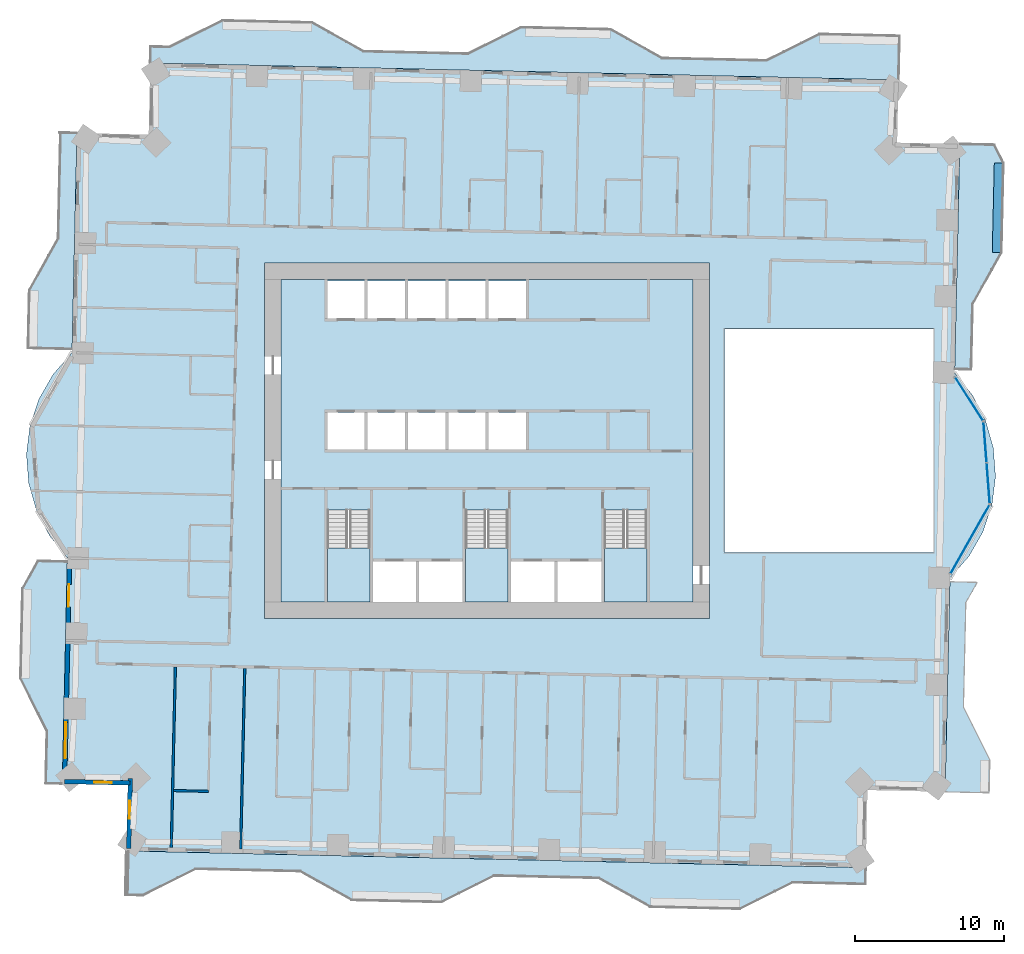
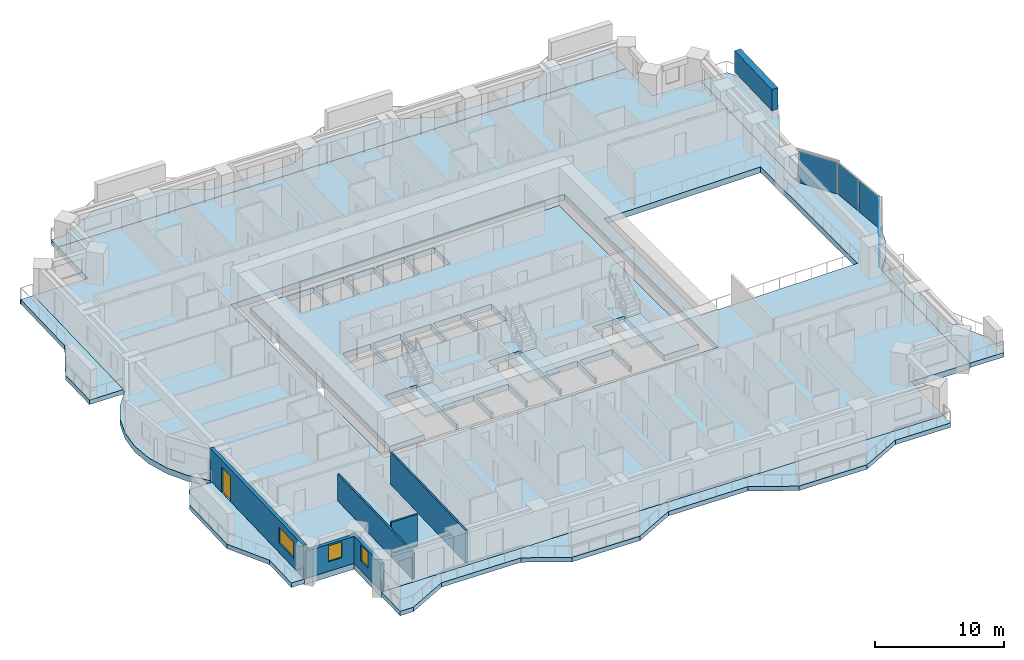
# One storey, part 6 of 18: 11 slabs, 6 walls, 4 plates, 3 windows, 1 door, 1 member, 4 openings, 6 elements without a shape of their own.
"""IFC4 building model written with IfcOpenShell, lengths in metres."""

from ifc_helpers import new_model, si_unit, direction, frame, frame_2d, origin, origin_2d, place, context, subcontext, project, spatial, polyline, rectangle, outline, extrude, material, layer, layer_set, material_profile, profile_set, type_object, element, fill, aggregate, save


model = new_model("IFC4")

# Units and contexts
model_context = context("Model", 3, precision=1e-05, world=origin(), true_north=direction((0.0, 1.0)))
body_context = subcontext(model_context, "Body", "Model", "MODEL_VIEW")
ifc_project = project(units=[si_unit("LENGTHUNIT", "METRE"), si_unit("AREAUNIT", "SQUARE_METRE"), si_unit("VOLUMEUNIT", "CUBIC_METRE"), si_unit("PLANEANGLEUNIT", "RADIAN"), si_unit("MASSUNIT", "GRAM", prefix="KILO")], contexts=[model_context])

# Site, building, storey
site_placement = place(None, origin())
site = spatial("IfcSite", under=ifc_project, at=site_placement, CompositionType="ELEMENT")
building_placement = place(site_placement, origin())
building = spatial("IfcBuilding", under=site, at=building_placement, Name="Mangrove Gate Tower", CompositionType="ELEMENT")
storey_placement = place(building_placement, frame((0.0, 0.0, 71.10009765625)))
storey = spatial("IfcBuildingStorey", under=building, at=storey_placement, Name="L17", CompositionType="ELEMENT", Elevation=71.10009765625)

# Member
ifc_material_1 = material(Name="Planting on aluminium trellis", Category="aluminium")
ifc_material_profile = material_profile(ifc_material_1, rectangle(XDim=0.550048828125, YDim=2.0, at=origin_2d()))
ifc_profile_set = profile_set([ifc_material_profile], Name="Planting on aluminium trellis")
member_type = type_object("IfcMemberType", Name="Balcony greenery screen 550x2000", PredefinedType="USERDEFINED", material=ifc_profile_set)
member_placement = place(storey_placement, frame((34.114990234375, 12.615966796875, 1.7998046875), z_axis=(0.022665943652, 0.999743094499, 0.0), x_axis=(-0.999743094499, 0.022665943652, 0.0)))
element("IfcMember", 1, at=member_placement, inside=storey, type_object=member_type, Name="GREEN SCREEN L17 E1.1", ObjectType="PLANTING", PredefinedType="USERDEFINED", context=body_context, shape_type="SweptSolid", body=[
    extrude(rectangle(XDim=0.550048828125, YDim=2.0, at=origin_2d()), origin(), (0.0, 0.0, 1.0), 5.99951171875),
])

# Curtain wall, plate
ifc_material_2 = material(Name="Aluminium and glass curtain wall", Category="aluminium")
curtain_wall_type = type_object("IfcCurtainWallType", Name="Atrium garden-court glazing wall", PredefinedType="NOTDEFINED", material=ifc_material_2)
curtain_wall_1_placement = place(storey_placement, origin())
curtain_wall_1 = element("IfcCurtainWall", 2, at=curtain_wall_1_placement, inside=storey, type_object=curtain_wall_type, Name="Atrium garden-court glazing E1f1", PredefinedType="NOTDEFINED")
ifc_material_3 = material(Name="Laminated low-e glass", Category="glass")
ifc_layer_1 = layer(ifc_material_3, 0.031982421875)
ifc_layer_set_1 = layer_set([ifc_layer_1], Name="Atrium garden-court glazing panel 32")
plate_type = type_object("IfcPlateType", Name="Atrium garden-court glazing panel 32", PredefinedType="CURTAIN_PANEL", material=ifc_layer_set_1)
plate_1_placement = place(storey_placement, frame((32.34912109375, -6.600830078125, 0.0), z_axis=(0.0, 0.0, 1.0), x_axis=(0.492603686489, 0.870253760726, 0.0)))
plate_1 = element("IfcPlate", 3, at=plate_1_placement, type_object=plate_type, Name="CWA panel 1.1", PredefinedType="CURTAIN_PANEL", context=body_context, shape_type="SweptSolid", body=[
    extrude(rectangle(XDim=5.258544921875, YDim=0.031982421875, at=origin_2d()), origin(), (0.0, 0.0, 1.0), 2.97998046875),
])
aggregate(curtain_wall_1, [plate_1])

# Curtain wall, plates
curtain_wall_2_placement = place(storey_placement, origin())
curtain_wall_2 = element("IfcCurtainWall", 4, at=curtain_wall_2_placement, inside=storey, type_object=curtain_wall_type, Name="Atrium garden-court glazing E1f2", PredefinedType="NOTDEFINED")
plate_2_placement = place(storey_placement, frame((33.5703125, -2.84521484375, 0.0), z_axis=(0.0, 0.0, 1.0), x_axis=(-0.077023348212, 0.997029289354, 0.0)))
plate_2 = element("IfcPlate", 5, at=plate_2_placement, type_object=plate_type, Name="CWA panel 1.1", PredefinedType="CURTAIN_PANEL", context=body_context, shape_type="SweptSolid", body=[
    extrude(rectangle(XDim=2.681640625, YDim=0.031982421875, at=origin_2d()), origin(), (0.0, 0.0, 1.0), 2.97998046875),
])
plate_3_placement = place(storey_placement, frame((33.3583984375, -0.1015625, 0.0), z_axis=(0.0, 0.0, 1.0), x_axis=(-0.077023348212, 0.997029289354, 0.0)))
plate_3 = element("IfcPlate", 6, at=plate_3_placement, type_object=plate_type, Name="CWA panel 2.1", PredefinedType="CURTAIN_PANEL", context=body_context, shape_type="SweptSolid", body=[
    extrude(rectangle(XDim=2.681640625, YDim=0.031982421875, at=origin_2d()), origin(), (0.0, 0.0, 1.0), 2.97998046875),
])
aggregate(curtain_wall_2, [plate_2, plate_3])

# Curtain wall, plate
curtain_wall_3_placement = place(storey_placement, origin())
curtain_wall_3 = element("IfcCurtainWall", 7, at=curtain_wall_3_placement, inside=storey, type_object=curtain_wall_type, Name="Atrium garden-court glazing E1f3", PredefinedType="NOTDEFINED")
plate_4_placement = place(storey_placement, frame((32.284912109375, 2.806396484375, 0.0), z_axis=(0.0, 0.0, 1.0), x_axis=(-0.540524576597, 0.841328224948, 0.0)))
plate_4 = element("IfcPlate", 8, at=plate_4_placement, type_object=plate_type, Name="CWA panel 1.1", PredefinedType="CURTAIN_PANEL", context=body_context, shape_type="SweptSolid", body=[
    extrude(rectangle(XDim=3.42919921875, YDim=0.031982421875, at=origin_2d()), origin(), (0.0, 0.0, 1.0), 2.97998046875),
])
aggregate(curtain_wall_3, [plate_4])

# Slabs
ifc_material_4 = material(Name="Porcelain tile")
ifc_layer_2 = layer(ifc_material_4, 0.02001953125, Name="Tile finish")
ifc_material_5 = material(Name="Cement sand screed")
ifc_layer_3 = layer(ifc_material_5, 0.0400390625, Name="Screed laid to falls")
ifc_material_6 = material(Name="Bituminous waterproofing membrane")
ifc_layer_4 = layer(ifc_material_6, 0.00390625, Name="Waterproofing")
ifc_material_7 = material(Name="Concrete C40/50", Category="concrete")
ifc_layer_5 = layer(ifc_material_7, 0.340087890625, Name="Balcony structural slab")
ifc_material_8 = material(Name="Limestone", Category="masonry")
ifc_layer_6 = layer(ifc_material_8, 0.01611328125, Name="Soffit lining")
ifc_layer_set_2 = layer_set([ifc_layer_2, ifc_layer_3, ifc_layer_4, ifc_layer_5, ifc_layer_6], Name="Balcony slab 420 C40/50")
slab_type_1 = type_object("IfcSlabType", Name="Balcony slab 420 C40/50", PredefinedType="FLOOR", material=ifc_layer_set_2)
slab_1_placement = place(storey_placement, frame((0.0, 0.0, -0.420166015625)))
element("IfcSlab", 9, at=slab_1_placement, inside=storey, type_object=slab_type_1, Name="BALCONY L17 E0", PredefinedType="FLOOR", context=body_context, shape_type="SweptSolid", body=[
    extrude(outline(polyline([(33.6689453125, -23.5830078125), (33.718994140625, -21.384033203125), (31.947998046875, -17.843017578125), (32.10693359375, -10.843994140625), (32.864990234375, -9.487060546875), (30.9990234375, -9.444091796875), (30.968017578125, -10.819091796875), (30.80908203125, -17.81689453125), (30.72900390625, -21.31591796875), (30.678955078125, -23.514892578125), (33.6689453125, -23.5830078125)])), origin(), (0.0, 0.0, 1.0), 0.420166015625),
])
slab_2_placement = place(storey_placement, frame((0.0, 0.0, -0.420166015625)))
element("IfcSlab", 10, at=slab_2_placement, inside=storey, type_object=slab_type_1, Name="BALCONY L17 E1", PredefinedType="FLOOR", context=body_context, shape_type="SweptSolid", body=[
    extrude(outline(polyline([(32.4619140625, 4.777099609375), (32.56103515625, 9.14990234375), (34.489990234375, 12.60693359375), (34.6259765625, 18.60595703125), (34.01904296875, 19.820068359375), (31.6640625, 19.873046875), (31.636962890625, 18.674072265625), (31.5009765625, 12.675048828125), (31.4208984375, 9.176025390625), (31.322021484375, 4.802978515625), (32.4619140625, 4.777099609375)])), origin(), (0.0, 0.0, 1.0), 0.420166015625),
])
slab_3_placement = place(storey_placement, frame((0.0, 0.0, -0.420166015625)))
element("IfcSlab", 11, at=slab_3_placement, inside=storey, type_object=slab_type_1, Name="BALCONY L17 N0", PredefinedType="FLOOR", context=body_context, shape_type="SweptSolid", body=[
    extrude(outline(polyline([(27.6279296875, 27.156982421875), (22.261962890625, 27.279052734375), (18.720947265625, 25.509033203125), (11.721923828125, 25.6669921875), (8.264892578125, 27.595947265625), (2.56689453125, 27.72607421875), (2.26708984375, 27.73193359375), (-1.27392578125, 25.962890625), (-8.27197265625, 26.12109375), (-11.72998046875, 28.050048828125), (-17.72802734375, 28.18603515625), (-21.26904296875, 26.4169921875), (-22.537109375, 26.445068359375), (-22.56298828125, 25.304931640625), (2.4990234375, 24.736083984375), (11.697021484375, 24.528076171875), (27.56005859375, 24.16796875), (27.6279296875, 27.156982421875)])), origin(), (0.0, 0.0, 1.0), 0.420166015625),
])
slab_4_placement = place(storey_placement, frame((0.0, 0.0, -0.420166015625)))
element("IfcSlab", 12, at=slab_4_placement, inside=storey, type_object=slab_type_1, Name="BALCONY L17 W0", PredefinedType="FLOOR", context=body_context, shape_type="SweptSolid", body=[
    extrude(outline(polyline([(-28.6630859375, 20.64208984375), (-28.612060546875, 20.541015625), (-28.77099609375, 13.54296875), (-30.699951171875, 10.0859375), (-30.7880859375, 6.2119140625), (-27.799072265625, 6.14404296875), (-27.7109375, 10.01806640625), (-27.631103515625, 13.51708984375), (-27.472900390625, 20.514892578125), (-27.469970703125, 20.614990234375), (-28.6630859375, 20.64208984375)])), origin(), (0.0, 0.0, 1.0), 0.420166015625),
])
slab_5_placement = place(storey_placement, frame((0.0, 0.0, -0.420166015625)))
element("IfcSlab", 13, at=slab_5_placement, inside=storey, type_object=slab_type_1, Name="BALCONY L17 W1", PredefinedType="FLOOR", context=body_context, shape_type="SweptSolid", body=[
    extrude(outline(polyline([(-30.12109375, -8.056884765625), (-31.154052734375, -9.908935546875), (-31.2900390625, -15.906982421875), (-29.52001953125, -19.448974609375), (-29.59912109375, -22.947998046875), (-28.4599609375, -22.97412109375), (-28.3798828125, -19.47412109375), (-28.301025390625, -15.97509765625), (-28.1650390625, -9.97705078125), (-28.1220703125, -8.10302734375), (-30.12109375, -8.056884765625)])), origin(), (0.0, 0.0, 1.0), 0.420166015625),
])
slab_6_placement = place(storey_placement, frame((0.0, 0.0, -0.420166015625)))
element("IfcSlab", 14, at=slab_6_placement, inside=storey, type_object=slab_type_1, Name="BALCONY L17 S0", PredefinedType="FLOOR", context=body_context, shape_type="SweptSolid", body=[
    extrude(outline(polyline([(-24.22802734375, -30.4609375), (-23.06103515625, -30.488037109375), (-19.52001953125, -28.718017578125), (-12.52099609375, -28.876953125), (-9.06396484375, -30.805908203125), (-3.06591796875, -30.94189453125), (0.47509765625, -29.172119140625), (0.574951171875, -29.174072265625), (7.47412109375, -29.330078125), (10.930908203125, -31.259033203125), (16.928955078125, -31.39501953125), (20.469970703125, -29.6259765625), (25.3369140625, -29.736083984375), (25.363037109375, -28.595947265625), (-24.159912109375, -27.471923828125), (-24.22802734375, -30.4609375)])), origin(), (0.0, 0.0, 1.0), 0.420166015625),
])
ifc_material_9 = material(Name="Concrete C40/50", Category="concrete")
ifc_layer_7 = layer(ifc_material_9, 0.550048828125)
ifc_layer_set_3 = layer_set([ifc_layer_7], Name="Core floor slab 550 C40/50")
slab_type_2 = type_object("IfcSlabType", Name="Core floor slab 550 C40/50", PredefinedType="FLOOR", material=ifc_layer_set_3)
slab_7_placement = place(storey_placement, frame((0.0, 0.0, -0.550048828125)))
element("IfcSlab", 15, at=slab_7_placement, inside=storey, type_object=slab_type_2, Name="SLAB-L17-CORE-1", PredefinedType="FLOOR", context=body_context, shape_type="SweptSolid", body=[
    extrude(outline(polyline([(-13.800048828125, -10.800048828125), (-13.800048828125, 10.800048828125), (13.800048828125, 10.800048828125), (13.800048828125, -10.800048828125), (10.699951171875, -10.800048828125), (10.699951171875, -4.653076171875), (7.85009765625, -4.653076171875), (7.85009765625, -10.800048828125), (7.64990234375, -10.800048828125), (7.64990234375, -8.10009765625), (4.72509765625, -8.10009765625), (4.72509765625, -10.800048828125), (4.52490234375, -10.800048828125), (4.52490234375, -8.10009765625), (1.60009765625, -8.10009765625), (1.60009765625, -10.800048828125), (1.39990234375, -10.800048828125), (1.39990234375, -4.653076171875), (-1.449951171875, -4.653076171875), (-1.449951171875, -10.800048828125), (-1.64990234375, -10.800048828125), (-1.64990234375, -8.10009765625), (-4.550048828125, -8.10009765625), (-4.550048828125, -10.800048828125), (-4.75, -10.800048828125), (-4.75, -8.10009765625), (-7.64990234375, -8.10009765625), (-7.64990234375, -10.800048828125), (-7.85009765625, -10.800048828125), (-7.85009765625, -4.653076171875), (-10.699951171875, -4.653076171875), (-10.699951171875, -10.800048828125), (-13.800048828125, -10.800048828125)]), holes=[polyline([(-8.199951171875, -0.60009765625), (-8.199951171875, 1.89990234375), (-10.699951171875, 1.89990234375), (-10.699951171875, -0.60009765625), (-8.199951171875, -0.60009765625)]), polyline([(-5.5, -0.60009765625), (-5.5, 1.89990234375), (-8.0, 1.89990234375), (-8.0, -0.60009765625), (-5.5, -0.60009765625)]), polyline([(-2.800048828125, -0.60009765625), (-2.800048828125, 1.89990234375), (-5.300048828125, 1.89990234375), (-5.300048828125, -0.60009765625), (-2.800048828125, -0.60009765625)]), polyline([(-8.199951171875, 8.199951171875), (-8.199951171875, 10.699951171875), (-10.699951171875, 10.699951171875), (-10.699951171875, 8.199951171875), (-8.199951171875, 8.199951171875)]), polyline([(-5.5, 8.199951171875), (-5.5, 10.699951171875), (-8.0, 10.699951171875), (-8.0, 8.199951171875), (-5.5, 8.199951171875)]), polyline([(-2.800048828125, 8.199951171875), (-2.800048828125, 10.699951171875), (-5.300048828125, 10.699951171875), (-5.300048828125, 8.199951171875), (-2.800048828125, 8.199951171875)]), polyline([(-0.10009765625, -0.60009765625), (-0.10009765625, 1.89990234375), (-2.60009765625, 1.89990234375), (-2.60009765625, -0.60009765625), (-0.10009765625, -0.60009765625)]), polyline([(2.60009765625, -0.60009765625), (2.60009765625, 1.89990234375), (0.10009765625, 1.89990234375), (0.10009765625, -0.60009765625), (2.60009765625, -0.60009765625)]), polyline([(-2.60009765625, 8.199951171875), (-0.10009765625, 8.199951171875), (-0.10009765625, 10.699951171875), (-2.60009765625, 10.699951171875), (-2.60009765625, 8.199951171875)]), polyline([(0.10009765625, 8.199951171875), (2.60009765625, 8.199951171875), (2.60009765625, 10.699951171875), (0.10009765625, 10.699951171875), (0.10009765625, 8.199951171875)])]), origin(), (0.0, 0.0, 1.0), 0.550048828125),
])

# Stair, slab
ifc_material_10 = material(Name="Concrete C40/50", Category="concrete")
stair_type = type_object("IfcStairType", Name="Core stair 1350", PredefinedType="HALF_TURN_STAIR", material=ifc_material_10)
stair_1_placement = place(storey_placement, origin())
stair_1 = element("IfcStair", 16, at=stair_1_placement, inside=storey, type_object=stair_type, Name="L17 Stair 1", PredefinedType="HALF_TURN_STAIR")
ifc_material_11 = material(Name="Concrete C40/50", Category="concrete")
ifc_layer_8 = layer(ifc_material_11, 0.199951171875)
ifc_layer_set_4 = layer_set([ifc_layer_8], Name="Core stair landing 200")
slab_type_3 = type_object("IfcSlabType", Name="Core stair landing 200", PredefinedType="LANDING", material=ifc_layer_set_4)
slab_8_placement = place(storey_placement, frame((0.0, 0.0, 1.599853515625)))
slab_8 = element("IfcSlab", 17, at=slab_8_placement, type_object=slab_type_3, Name="ST1 landing 1", PredefinedType="LANDING", context=body_context, shape_type="SweptSolid", body=[
    extrude(outline(polyline([(-10.699951171875, -7.169921875), (-10.699951171875, -10.800048828125), (-7.85009765625, -10.800048828125), (-7.85009765625, -7.169921875), (-10.699951171875, -7.169921875)])), origin(), (0.0, 0.0, 1.0), 0.199951171875),
])
aggregate(stair_1, [slab_8])

stair_2_placement = place(storey_placement, origin())
stair_2 = element("IfcStair", 18, at=stair_2_placement, inside=storey, type_object=stair_type, Name="L17 Stair 2", PredefinedType="HALF_TURN_STAIR")
slab_9_placement = place(storey_placement, frame((0.0, 0.0, 1.599853515625)))
slab_9 = element("IfcSlab", 19, at=slab_9_placement, type_object=slab_type_3, Name="ST2 landing 1", PredefinedType="LANDING", context=body_context, shape_type="SweptSolid", body=[
    extrude(outline(polyline([(-1.449951171875, -7.169921875), (-1.449951171875, -10.800048828125), (1.39990234375, -10.800048828125), (1.39990234375, -7.169921875), (-1.449951171875, -7.169921875)])), origin(), (0.0, 0.0, 1.0), 0.199951171875),
])
aggregate(stair_2, [slab_9])

stair_3_placement = place(storey_placement, origin())
stair_3 = element("IfcStair", 20, at=stair_3_placement, inside=storey, type_object=stair_type, Name="L17 Stair 3", PredefinedType="HALF_TURN_STAIR")
slab_10_placement = place(storey_placement, frame((0.0, 0.0, 1.599853515625)))
slab_10 = element("IfcSlab", 21, at=slab_10_placement, type_object=slab_type_3, Name="ST3 landing 1", PredefinedType="LANDING", context=body_context, shape_type="SweptSolid", body=[
    extrude(outline(polyline([(7.85009765625, -7.169921875), (7.85009765625, -10.800048828125), (10.699951171875, -10.800048828125), (10.699951171875, -7.169921875), (7.85009765625, -7.169921875)])), origin(), (0.0, 0.0, 1.0), 0.199951171875),
])
aggregate(stair_3, [slab_10])

# Slab
ifc_material_12 = material(Name="Concrete C40/50", Category="concrete")
ifc_layer_9 = layer(ifc_material_12, 0.550048828125)
ifc_layer_set_5 = layer_set([ifc_layer_9], Name="Floor slab 550 C40/50")
slab_type_4 = type_object("IfcSlabType", Name="Floor slab 550 C40/50", PredefinedType="FLOOR", material=ifc_layer_set_5)
slab_11_placement = place(storey_placement, frame((0.0, 0.0, -0.550048828125)))
element("IfcSlab", 22, at=slab_11_placement, inside=storey, type_object=slab_type_4, Name="Floor slab L17", PredefinedType="FLOOR", context=body_context, shape_type="SweptSolid", body=[
    extrude(outline(polyline([(-24.160400390625, -27.47216796875), (25.36279296875, -28.595947265625), (25.480712890625, -23.3974609375), (30.679443359375, -23.515380859375), (31.00439453125, -9.1943359375), (32.267333984375, -7.7578125), (33.220458984375, -6.099365234375), (33.825927734375, -4.28515625), (34.0595703125, -2.38671875), (33.912353515625, -0.4794921875), (33.389892578125, 1.360595703125), (32.512939453125, 3.060302734375), (31.31640625, 4.552734375), (31.6640625, 19.87353515625), (27.465087890625, 19.96875), (27.560302734375, 24.167724609375), (-22.562744140625, 25.30517578125), (-22.671630859375, 20.50634765625), (-27.470458984375, 20.615234375), (-27.804443359375, 5.894287109375), (-29.0673828125, 4.457763671875), (-30.0205078125, 2.799560546875), (-30.6259765625, 0.985107421875), (-30.859619140625, -0.913330078125), (-30.71240234375, -2.820556640625), (-30.18994140625, -4.660400390625), (-29.31298828125, -6.3603515625), (-28.116455078125, -7.852783203125), (-28.45947265625, -22.9736328125), (-24.060546875, -23.0732421875), (-24.160400390625, -27.47216796875)]), holes=[polyline([(15.89990234375, 7.5), (29.889892578125, 7.5), (29.889892578125, -7.5), (15.89990234375, -7.5), (15.89990234375, 7.5)]), polyline([(-14.89990234375, -11.89990234375), (-14.89990234375, 11.89990234375), (14.89990234375, 11.89990234375), (14.89990234375, -11.89990234375), (-14.89990234375, -11.89990234375)])]), origin(), (0.0, 0.0, 1.0), 0.550048828125),
])

# Wall, openings, door, window
ifc_layer_10 = layer(ifc_material_8, 0.0400390625, Name="Limestone cladding")
ifc_material_13 = material(Name="Ventilated air gap")
ifc_layer_11 = layer(ifc_material_13, 0.0400390625, Name="Ventilated cavity")
ifc_material_14 = material(Name="Mineral wool insulation")
ifc_layer_12 = layer(ifc_material_14, 0.06005859375, Name="Insulation")
ifc_material_15 = material(Name="Breather membrane")
ifc_layer_13 = layer(ifc_material_15, 0.001953125, Name="Breather membrane")
ifc_material_16 = material(Name="Concrete C20/25 blockwork", Category="masonry")
ifc_layer_14 = layer(ifc_material_16, 0.14990234375, Name="Blockwork backing wall")
ifc_material_17 = material(Name="Gypsum plaster")
ifc_layer_15 = layer(ifc_material_17, 0.008056640625, Name="Internal plaster")
ifc_layer_set_6 = layer_set([ifc_layer_10, ifc_layer_11, ifc_layer_12, ifc_layer_13, ifc_layer_14, ifc_layer_15], Name="External wall 300 limestone cladding")
wall_type_1 = type_object("IfcWallType", Name="External wall 300 limestone cladding", PredefinedType="SOLIDWALL", material=ifc_layer_set_6)
wall_1_placement = place(storey_placement, frame((-27.965087890625, -7.802001953125, 0.0), z_axis=(0.0, 0.0, 1.0), x_axis=(-0.02267786199, -0.999742824218, 0.0)))
wall_1 = element("IfcWall", 23, at=wall_1_placement, inside=storey, type_object=wall_type_1, Name="WALL-L17-W10", PredefinedType="SOLIDWALL", context=body_context, shape_type="SweptSolid", body=[
    extrude(rectangle(XDim=15.02880859375, YDim=0.300048828125, at=frame_2d((7.514404296875, 0.0))), origin(), (0.0, 0.0, 1.0), 3.0498046875),
])
opening_1_placement = place(wall_1_placement, frame((1.825927734375, 0.0, 0.0)))
opening_1 = element("IfcOpeningElement", 24, at=opening_1_placement, cuts=wall_1, Name="Opening BD1", PredefinedType="OPENING", context=body_context, shape_type="SweptSolid", body=[
    extrude(rectangle(XDim=1.5, YDim=2.39990234375, at=frame_2d((0.75, 1.199951171875))), frame((0.0, 0.159912109375, 0.0), z_axis=(0.0, -1.0, 0.0), x_axis=(1.0, 0.0, 0.0)), (0.0, 0.0, 1.0), 0.320068359375),
])
opening_2_placement = place(wall_1_placement, frame((11.071044921875, 0.0, 0.89990234375)))
opening_2 = element("IfcOpeningElement", 25, at=opening_2_placement, cuts=wall_1, Name="Opening W2", PredefinedType="OPENING", context=body_context, shape_type="SweptSolid", body=[
    extrude(rectangle(XDim=2.39990234375, YDim=1.5, at=frame_2d((1.199951171875, 0.75))), frame((0.0, 0.159912109375, 0.0), z_axis=(0.0, -1.0, 0.0), x_axis=(1.0, 0.0, 0.0)), (0.0, 0.0, 1.0), 0.320068359375),
])
ifc_material_18 = material(Name="Aluminium frame with laminated clear glass", Category="aluminium")
door_type = type_object("IfcDoorType", Name="Balcony sliding door 1500x2400", OperationType="SLIDING_TO_LEFT", PredefinedType="DOOR", material=ifc_material_18)
door_placement = place(opening_1_placement, origin())
door = element("IfcDoor", 26, at=door_placement, inside=storey, type_object=door_type, Name="DOOR-L17-W10-1", OperationType="SLIDING_TO_LEFT", OverallHeight=2.39990234375, OverallWidth=1.5, PredefinedType="DOOR", context=body_context, shape_type="SweptSolid", body=[
    extrude(rectangle(XDim=1.5, YDim=2.39990234375, at=frame_2d((0.75, 1.199951171875))), frame((0.0, 0.02490234375, 0.0), z_axis=(0.0, -1.0, 0.0), x_axis=(1.0, 0.0, 0.0)), (0.0, 0.0, 1.0), 0.050048828125),
])
fill(opening_1, door)
ifc_material_19 = material(Name="Aluminium frame with double-glazed low-e glass", Category="aluminium")
window_type_1 = type_object("IfcWindowType", Name="Corner room window 2400x1500", PartitioningType="DOUBLE_PANEL_VERTICAL", PredefinedType="WINDOW", material=ifc_material_19)
window_1_placement = place(opening_2_placement, origin())
window_1 = element("IfcWindow", 27, at=window_1_placement, inside=storey, type_object=window_type_1, Name="WIN-L17-W10-2", OverallHeight=1.5, OverallWidth=2.39990234375, PartitioningType="DOUBLE_PANEL_VERTICAL", PredefinedType="WINDOW", context=body_context, shape_type="SweptSolid", body=[
    extrude(rectangle(XDim=2.39990234375, YDim=1.5, at=frame_2d((1.199951171875, 0.75))), frame((0.0, 0.030029296875, 0.0), z_axis=(0.0, -1.0, 0.0), x_axis=(1.0, 0.0, 0.0)), (0.0, 0.0, 1.0), 0.06005859375),
])
fill(opening_2, window_1)

# Wall, opening, window
wall_2_placement = place(storey_placement, frame((-28.305908203125, -22.826904296875, 0.0), z_axis=(0.0, 0.0, 1.0), x_axis=(0.999741204967, -0.022749133868, 0.0)))
wall_2 = element("IfcWall", 28, at=wall_2_placement, inside=storey, type_object=wall_type_1, Name="WALL-L17-S11", PredefinedType="SOLIDWALL", context=body_context, shape_type="SweptSolid", body=[
    extrude(rectangle(XDim=4.400146484375, YDim=0.300048828125, at=frame_2d((2.2001953125, 0.0))), origin(), (0.0, 0.0, 1.0), 2.5498046875),
])
opening_3_placement = place(wall_2_placement, frame((1.97802734375, 0.0, 0.89990234375)))
opening_3 = element("IfcOpeningElement", 29, at=opening_3_placement, cuts=wall_2, Name="Opening W1", PredefinedType="OPENING", context=body_context, shape_type="SweptSolid", body=[
    extrude(rectangle(XDim=1.199951171875, YDim=1.5, at=frame_2d((0.60009765625, 0.75))), frame((0.0, 0.159912109375, 0.0), z_axis=(0.0, -1.0, 0.0), x_axis=(1.0, 0.0, 0.0)), (0.0, 0.0, 1.0), 0.320068359375),
])
ifc_material_20 = material(Name="Aluminium frame with double-glazed low-e glass", Category="aluminium")
window_type_2 = type_object("IfcWindowType", Name="Side lite 1200x1500", PartitioningType="SINGLE_PANEL", PredefinedType="WINDOW", material=ifc_material_20)
window_2_placement = place(opening_3_placement, origin())
window_2 = element("IfcWindow", 30, at=window_2_placement, inside=storey, type_object=window_type_2, Name="WIN-L17-S11-1", OverallHeight=1.5, OverallWidth=1.199951171875, PartitioningType="SINGLE_PANEL", PredefinedType="WINDOW", context=body_context, shape_type="SweptSolid", body=[
    extrude(rectangle(XDim=1.199951171875, YDim=1.5, at=frame_2d((0.60009765625, 0.75))), frame((0.0, 0.030029296875, 0.0), z_axis=(0.0, -1.0, 0.0), x_axis=(1.0, 0.0, 0.0)), (0.0, 0.0, 1.0), 0.06005859375),
])
fill(opening_3, window_2)

wall_3_placement = place(storey_placement, frame((-23.90087890625, -22.633056640625, 0.0), z_axis=(0.0, 0.0, 1.0), x_axis=(-0.022624526802, -0.999744032634, 0.0)))
wall_3 = element("IfcWall", 31, at=wall_3_placement, inside=storey, type_object=wall_type_1, Name="WALL-L17-W12s1", PredefinedType="SOLIDWALL", context=body_context, shape_type="SweptSolid", body=[
    extrude(rectangle(XDim=4.694091796875, YDim=0.300048828125, at=frame_2d((2.34716796875, 0.0))), origin(), (0.0, 0.0, 1.0), 2.5498046875),
])
opening_4_placement = place(wall_3_placement, frame((1.492919921875, 0.0, 0.89990234375)))
opening_4 = element("IfcOpeningElement", 32, at=opening_4_placement, cuts=wall_3, Name="Opening W1", PredefinedType="OPENING", context=body_context, shape_type="SweptSolid", body=[
    extrude(rectangle(XDim=1.199951171875, YDim=1.5, at=frame_2d((0.60009765625, 0.75))), frame((0.0, 0.159912109375, 0.0), z_axis=(0.0, -1.0, 0.0), x_axis=(1.0, 0.0, 0.0)), (0.0, 0.0, 1.0), 0.320068359375),
])
window_3_placement = place(opening_4_placement, origin())
window_3 = element("IfcWindow", 33, at=window_3_placement, inside=storey, type_object=window_type_2, Name="WIN-L17-W12-1", OverallHeight=1.5, OverallWidth=1.199951171875, PartitioningType="SINGLE_PANEL", PredefinedType="WINDOW", context=body_context, shape_type="SweptSolid", body=[
    extrude(rectangle(XDim=1.199951171875, YDim=1.5, at=frame_2d((0.60009765625, 0.75))), frame((0.0, 0.030029296875, 0.0), z_axis=(0.0, -1.0, 0.0), x_axis=(1.0, 0.0, 0.0)), (0.0, 0.0, 1.0), 0.06005859375),
])
fill(opening_4, window_3)

# Walls
ifc_material_21 = material(Name="Gypsum board on steel stud, EI 60", Category="steel")
ifc_layer_16 = layer(ifc_material_21, 0.14990234375)
ifc_layer_set_7 = layer_set([ifc_layer_16], Name="Party wall 150 EI 60")
wall_type_2 = type_object("IfcWallType", Name="Party wall 150 EI 60", PredefinedType="PARTITIONING", material=ifc_layer_set_7)
wall_4_placement = place(storey_placement, frame((-21.156005859375, -27.240966796875, 0.0), z_axis=(0.0, 0.0, 1.0), x_axis=(0.022636621344, 0.999743758857, 0.0)))
element("IfcWall", 34, at=wall_4_placement, inside=storey, type_object=wall_type_2, Name="WALL-L17-001", PredefinedType="PARTITIONING", context=body_context, shape_type="SweptSolid", body=[
    extrude(rectangle(XDim=12.10107421875, YDim=0.14990234375, at=frame_2d((6.050537109375, 0.0))), origin(), (0.0, 0.0, 1.0), 2.5498046875),
])
wall_5_placement = place(storey_placement, frame((-16.508056640625, -27.345947265625, 0.0), z_axis=(0.0, 0.0, 1.0), x_axis=(0.02273928012, 0.99974142914, 0.0)))
element("IfcWall", 35, at=wall_5_placement, inside=storey, type_object=wall_type_2, Name="WALL-L17-002", PredefinedType="PARTITIONING", context=body_context, shape_type="SweptSolid", body=[
    extrude(rectangle(XDim=12.10009765625, YDim=0.14990234375, at=frame_2d((6.050048828125, 0.0))), origin(), (0.0, 0.0, 1.0), 3.0498046875),
])
wall_6_placement = place(storey_placement, frame((-20.992919921875, -23.43310546875, 0.0), z_axis=(0.0, 0.0, 1.0), x_axis=(0.999740260747, -0.02279059109, 0.0)))
element("IfcWall", 36, at=wall_6_placement, inside=storey, type_object=wall_type_2, Name="WALL-L17-017", PredefinedType="PARTITIONING", context=body_context, shape_type="SweptSolid", body=[
    extrude(rectangle(XDim=2.324462890625, YDim=0.14990234375, at=frame_2d((1.162109375, 0.0))), origin(), (0.0, 0.0, 1.0), 3.0498046875),
])

save(model, "model.ifc")
